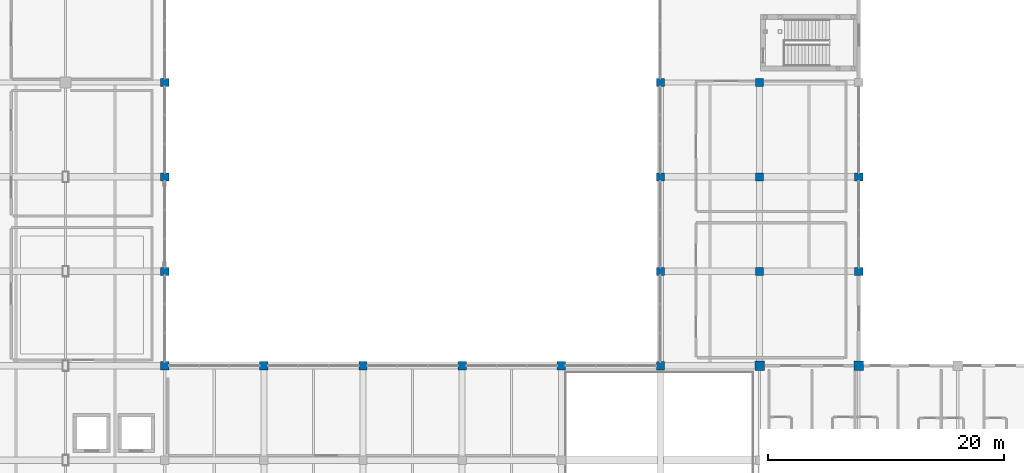
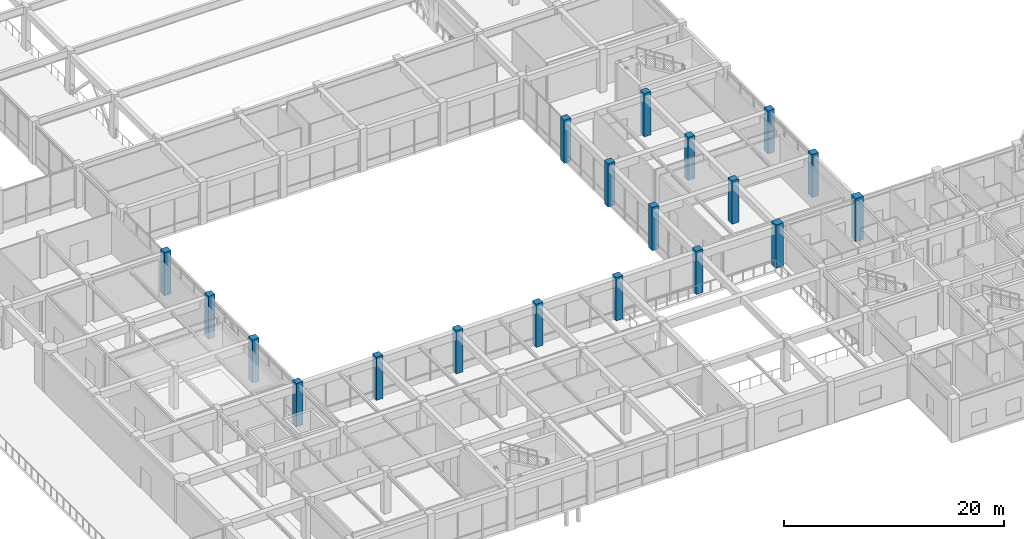
# One storey, part 4 of 76: 19 columns.
"""IFC4 building model written with IfcOpenShell, lengths in metres."""

from ifc_helpers import new_model, si_unit, direction, frame, origin, origin_2d, place, context, subcontext, project, spatial, rectangle, extrude, material, material_profile, profile_set, type_object, element, save


model = new_model("IFC4")

# Units and contexts
model_context = context("Model", 3, precision=1e-05, world=origin(), true_north=direction((0.0, 1.0)))
body_context = subcontext(model_context, "Body", "Model", "MODEL_VIEW")
ifc_project = project(units=[si_unit("LENGTHUNIT", "METRE"), si_unit("AREAUNIT", "SQUARE_METRE"), si_unit("VOLUMEUNIT", "CUBIC_METRE"), si_unit("PLANEANGLEUNIT", "RADIAN"), si_unit("MASSUNIT", "GRAM", prefix="KILO")], contexts=[model_context])

# Site, building, storey
site_placement = place(None, origin())
site = spatial("IfcSite", under=ifc_project, at=site_placement, CompositionType="ELEMENT")
building_placement = place(site_placement, origin())
building = spatial("IfcBuilding", under=site, at=building_placement, Name="Naruveol Harbour Congress Hotel", CompositionType="ELEMENT")
storey_placement = place(building_placement, frame((0.0, 0.0, 11.39990234375)))
storey = spatial("IfcBuildingStorey", under=building, at=storey_placement, Name="L02", CompositionType="ELEMENT", Elevation=11.39990234375)

# Columns
ifc_material_1 = material(Name="Concrete C40/50", Category="concrete")
ifc_material_profile_1 = material_profile(ifc_material_1, rectangle(XDim=0.699951171875, YDim=0.699951171875, at=origin_2d()), Name="RC-700x700")
ifc_profile_set_1 = profile_set([ifc_material_profile_1], Name="Concrete C40/50")
column_type_1 = type_object("IfcColumnType", Name="RC HOTEL COLUMN 700X700", PredefinedType="COLUMN", material=ifc_profile_set_1)
for number, where, z_axis, x_axis, name in (
    (1, (67.199951171875, 32.0, 0.0), (0.0, 0.0, 1.0), (1.0, 0.0, 0.0), "Column C-700 L02 (67.2,32.0)"),
    (2, (67.199951171875, 40.0, 0.0), (0.0, 0.0, 1.0), (1.0, 0.0, 0.0), "Column C-700 L02 (67.2,40.0)"),
    (3, (67.199951171875, 48.0, 0.0), (0.0, 0.0, 1.0), (1.0, 0.0, 0.0), "Column C-700 L02 (67.2,48.0)"),
    (4, (67.199951171875, 56.0, 0.0), (0.0, 0.0, 1.0), (1.0, 0.0, 0.0), "Column C-700 L02 (67.2,56.0)"),
    (5, (75.60009765625, 32.0, 0.0), (0.0, 0.0, 1.0), (1.0, 0.0, 0.0), "Column C-700 L02 (75.6,32.0)"),
    (6, (84.0, 32.0, 0.0), (0.0, 0.0, 1.0), (1.0, 0.0, 0.0), "Column C-700 L02 (84.0,32.0)"),
    (7, (92.39990234375, 32.0, 0.0), (0.0, 0.0, 1.0), (1.0, 0.0, 0.0), "Column C-700 L02 (92.4,32.0)"),
    (8, (100.800048828125, 32.0, 0.0), (0.0, 0.0, 1.0), (1.0, 0.0, 0.0), "Column C-700 L02 (100.8,32.0)"),
    (9, (109.199951171875, 32.0, 0.0), (0.0, 0.0, 1.0), (1.0, 0.0, 0.0), "Column C-700 L02 (109.2,32.0)"),
    (10, (109.199951171875, 40.0, 0.0), (0.0, 0.0, 1.0), (1.0, 0.0, 0.0), "Column C-700 L02 (109.2,40.0)"),
    (11, (109.199951171875, 48.0, 0.0), (0.0, 0.0, 1.0), (1.0, 0.0, 0.0), "Column C-700 L02 (109.2,48.0)"),
    (12, (109.199951171875, 56.0, 0.0), (0.0, 0.0, 1.0), (1.0, 0.0, 0.0), "Column C-700 L02 (109.2,56.0)"),
    (13, (117.60009765625, 40.0, 0.0), (0.0, 0.0, 1.0), (1.0, 0.0, 0.0), "Column C-700 L02 (117.6,40.0)"),
    (14, (117.60009765625, 48.0, 0.0), (0.0, 0.0, 1.0), (1.0, 0.0, 0.0), "Column C-700 L02 (117.6,48.0)"),
    (15, (117.60009765625, 56.0, 0.0), (0.0, 0.0, 1.0), (1.0, 0.0, 0.0), "Column C-700 L02 (117.6,56.0)"),
    (16, (126.0, 40.0, 0.0), (0.0, 0.0, 1.0), (1.0, 0.0, 0.0), "Column C-700 L02 (126.0,40.0)"),
    (17, (126.0, 48.0, 0.0), (0.0, 0.0, 1.0), (1.0, 0.0, 0.0), "Column C-700 L02 (126.0,48.0)"),
):
    element("IfcColumn", number, at=place(storey_placement, frame(where, z_axis=z_axis, x_axis=x_axis)), inside=storey, type_object=column_type_1, Name=name, PredefinedType="COLUMN", context=body_context, shape_type="SweptSolid", body=[
        extrude(rectangle(XDim=0.699951171875, YDim=0.699951171875, at=origin_2d()), origin(), (0.0, 0.0, 1.0), 4.800048828125),
    ])
ifc_material_2 = material(Name="Concrete C50/60", Category="concrete")
ifc_material_profile_2 = material_profile(ifc_material_2, rectangle(XDim=0.800048828125, YDim=0.800048828125, at=origin_2d()), Name="RC-800x800")
ifc_profile_set_2 = profile_set([ifc_material_profile_2], Name="Concrete C50/60")
column_type_2 = type_object("IfcColumnType", Name="RC PODIUM COLUMN 800X800", PredefinedType="COLUMN", material=ifc_profile_set_2)
for number, where, z_axis, x_axis, name in (
    (18, (117.60009765625, 32.0, 0.0), (0.0, 0.0, 1.0), (1.0, 0.0, 0.0), "Column C-800 L02 (117.6,32.0)"),
    (19, (126.0, 32.0, 0.0), (0.0, 0.0, 1.0), (1.0, 0.0, 0.0), "Column C-800 L02 (126.0,32.0)"),
):
    element("IfcColumn", number, at=place(storey_placement, frame(where, z_axis=z_axis, x_axis=x_axis)), inside=storey, type_object=column_type_2, Name=name, PredefinedType="COLUMN", context=body_context, shape_type="SweptSolid", body=[
        extrude(rectangle(XDim=0.800048828125, YDim=0.800048828125, at=origin_2d()), origin(), (0.0, 0.0, 1.0), 4.800048828125),
    ])

save(model, "model.ifc")
